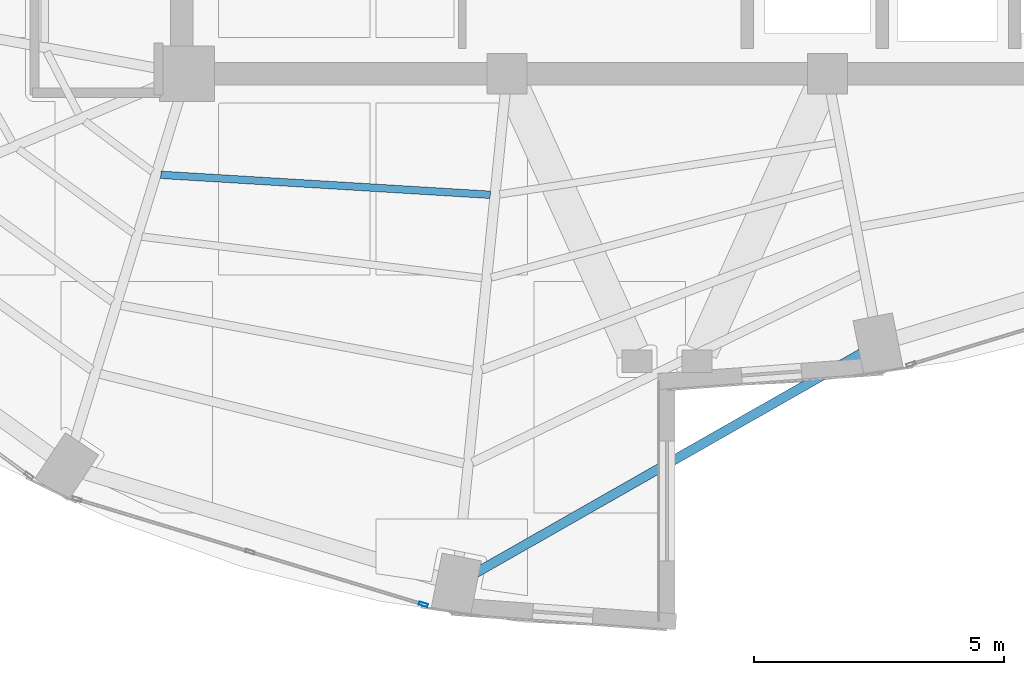
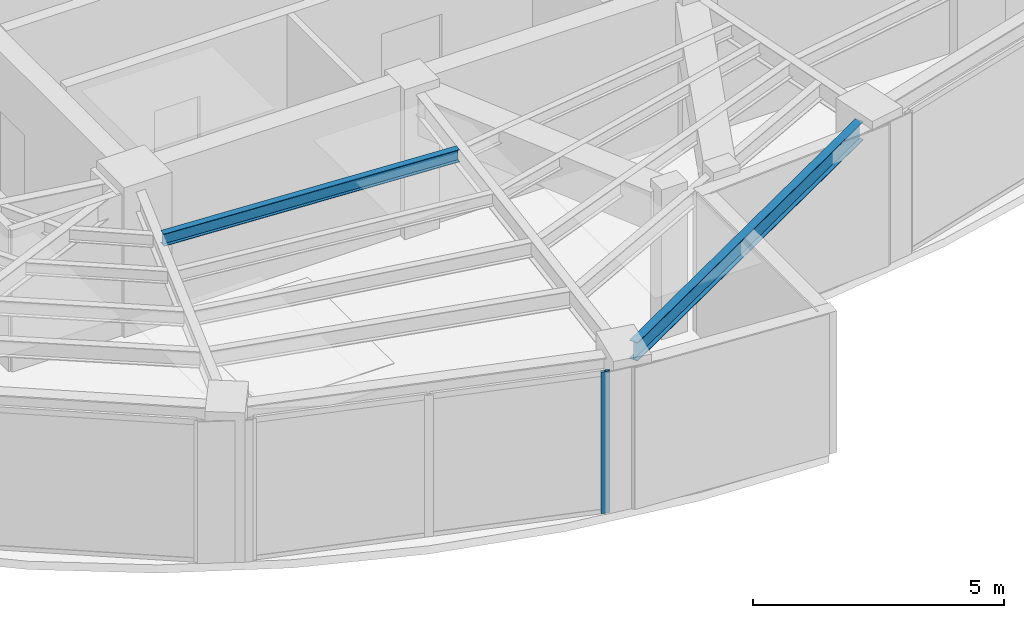
# One storey, part 5 of 22: 2 beams, 1 member, 1 element without a shape of its own.
"""IFC4 building model written with IfcOpenShell, lengths in metres."""

from ifc_helpers import new_model, si_unit, direction, frame, origin, origin_2d, place, context, subcontext, project, spatial, hollow_rectangle, i_section, extrude, material, layer, layer_set, material_profile, profile_set, type_object, element, aggregate, save


model = new_model("IFC4")

# Units and contexts
model_context = context("Model", 3, precision=1e-05, world=origin(), true_north=direction((0.0, 1.0)))
body_context = subcontext(model_context, "Body", "Model", "MODEL_VIEW")
ifc_project = project(units=[si_unit("LENGTHUNIT", "METRE"), si_unit("AREAUNIT", "SQUARE_METRE"), si_unit("VOLUMEUNIT", "CUBIC_METRE"), si_unit("PLANEANGLEUNIT", "RADIAN"), si_unit("MASSUNIT", "GRAM", prefix="KILO")], contexts=[model_context])

# Site, building, storey
site_placement = place(None, origin())
site = spatial("IfcSite", under=ifc_project, at=site_placement, CompositionType="ELEMENT")
building_placement = place(site_placement, origin())
building = spatial("IfcBuilding", under=site, at=building_placement, Name="Lazwardi Medical Tower", CompositionType="ELEMENT")
storey_placement = place(building_placement, frame((0.0, 0.0, 258.672119140625)))
storey = spatial("IfcBuildingStorey", under=building, at=storey_placement, Name="L67", CompositionType="ELEMENT", Elevation=258.672119140625)

# Beams
ifc_material_1 = material(Name="Steel S355", Category="steel")
ifc_material_profile_1 = material_profile(ifc_material_1, i_section(OverallWidth=0.14990234375, OverallDepth=0.300048828125, WebThickness=0.007080078125, FlangeThickness=0.0107421875, at=origin_2d()), Name="IPE 300")
ifc_profile_set_1 = profile_set([ifc_material_profile_1], Name="Steel S355")
beam_type_1 = type_object("IfcBeamType", Name="BM-SJ-03", PredefinedType="JOIST", material=ifc_profile_set_1)
beam_1_placement = place(storey_placement, frame((25.879150390625, 18.3798828125, 3.2978515625), z_axis=(0.998165515862, -0.060544223044, 0.0), x_axis=(0.060544223044, 0.998165515862, 0.0)))
element("IfcBeam", 1, at=beam_1_placement, inside=storey, type_object=beam_type_1, Name="Secondary joist SJ-03 R4 B15 L67", PredefinedType="JOIST", context=body_context, shape_type="SweptSolid", body=[
    extrude(i_section(OverallWidth=0.14990234375, OverallDepth=0.300048828125, WebThickness=0.007080078125, FlangeThickness=0.0107421875, at=origin_2d()), origin(), (0.0, 0.0, 1.0), 6.59716796875),
])
ifc_material_profile_2 = material_profile(ifc_material_1, i_section(OverallWidth=0.18994140625, OverallDepth=0.449951171875, WebThickness=0.009521484375, FlangeThickness=0.0146484375, at=origin_2d()), Name="IPE 450")
ifc_profile_set_2 = profile_set([ifc_material_profile_2], Name="Steel S355")
beam_type_2 = type_object("IfcBeamType", Name="BM-SP-01", PredefinedType="SPANDREL", material=ifc_profile_set_2)
beam_2_placement = place(storey_placement, frame((32.125, 10.394775390625, 3.222900390625), z_axis=(0.868954808466, 0.494891443494, 0.0), x_axis=(-0.494891443494, 0.868954808466, 0.0)))
element("IfcBeam", 2, at=beam_2_placement, inside=storey, type_object=beam_type_2, Name="Spandrel beam SP-01 B16 L67", PredefinedType="SPANDREL", context=body_context, shape_type="SweptSolid", body=[
    extrude(i_section(OverallWidth=0.18994140625, OverallDepth=0.449951171875, WebThickness=0.009521484375, FlangeThickness=0.0146484375, at=origin_2d()), origin(), (0.0, 0.0, 1.0), 8.918701171875),
])

# Curtain wall, member
ifc_material_2 = material(Name="Anodised bronze aluminium and solar control glazing", Category="aluminium")
ifc_layer = layer(ifc_material_2, 0.18994140625)
ifc_layer_set = layer_set([ifc_layer], Name="Anodised bronze aluminium and solar control glazing")
curtain_wall_type = type_object("IfcCurtainWallType", Name="CW-SYS-04", PredefinedType="NOTDEFINED", material=ifc_layer_set)
curtain_wall_placement = place(storey_placement, origin())
curtain_wall = element("IfcCurtainWall", 3, at=curtain_wall_placement, inside=storey, type_object=curtain_wall_type, Name="L67 Unitised bronze curtain wall CW-04", PredefinedType="NOTDEFINED")
ifc_material_3 = material(Name="Anodised bronze aluminium", Category="aluminium")
ifc_material_profile_3 = material_profile(ifc_material_3, hollow_rectangle(XDim=0.06494140625, YDim=0.179931640625, WallThickness=0.00390625, at=origin_2d()), Name="ALU-MULLION 180x65x4")
ifc_profile_set_3 = profile_set([ifc_material_profile_3], Name="Anodised bronze aluminium")
member_type = type_object("IfcMemberType", Name="CW-MUL-03", PredefinedType="MULLION", material=ifc_profile_set_3)
member_placement = place(storey_placement, frame((31.126953125, 9.79296875, 0.0), z_axis=(0.0, 0.0, 1.0), x_axis=(0.290581889515, 0.956850126972, 0.0)))
member = element("IfcMember", 4, at=member_placement, type_object=member_type, Name="CW-04 mullion 3", PredefinedType="MULLION", context=body_context, shape_type="SweptSolid", body=[
    extrude(hollow_rectangle(XDim=0.06494140625, YDim=0.179931640625, WallThickness=0.00390625, at=origin_2d()), origin(), (0.0, 0.0, 1.0), 3.447998046875),
])
aggregate(curtain_wall, [member])

save(model, "model.ifc")
